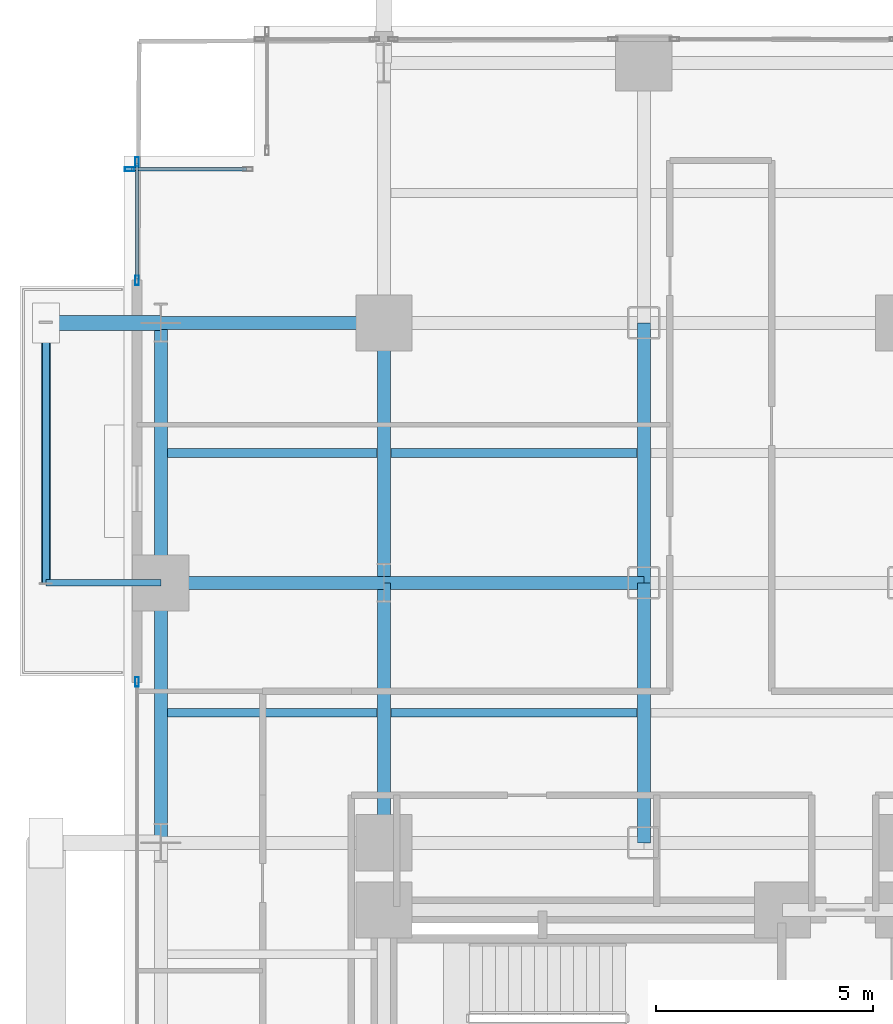
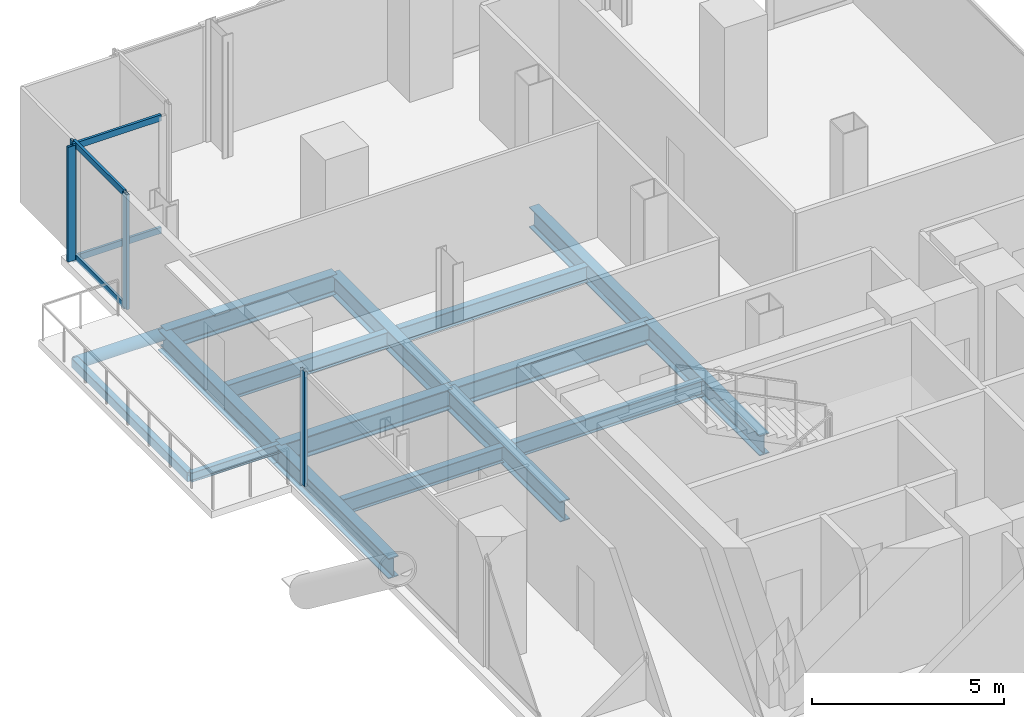
# One storey, part 13 of 27: 15 beams, 9 members, 3 elements without a shape of their own.
"""IFC4 building model written with IfcOpenShell, lengths in metres."""

from ifc_helpers import new_model, si_unit, direction, frame, origin, origin_2d, place, context, subcontext, project, spatial, hollow_rectangle, hollow_circle, i_section, extrude, material, layer, layer_set, material_profile, profile_set, type_object, element, aggregate, save


model = new_model("IFC4")

# Units and contexts
model_context = context("Model", 3, precision=1e-05, world=origin(), true_north=direction((0.0, 1.0)))
body_context = subcontext(model_context, "Body", "Model", "MODEL_VIEW")
ifc_project = project(units=[si_unit("LENGTHUNIT", "METRE"), si_unit("AREAUNIT", "SQUARE_METRE"), si_unit("VOLUMEUNIT", "CUBIC_METRE"), si_unit("PLANEANGLEUNIT", "RADIAN"), si_unit("MASSUNIT", "GRAM", prefix="KILO"), si_unit("THERMODYNAMICTEMPERATUREUNIT", "KELVIN"), si_unit("POWERUNIT", "WATT")], contexts=[model_context])

# Site, building, storey
site_placement = place(None, origin())
site = spatial("IfcSite", under=ifc_project, at=site_placement, CompositionType="ELEMENT")
building_placement = place(site_placement, origin())
building = spatial("IfcBuilding", under=site, at=building_placement, Name="Svarakhadi Broadcast Tower", CompositionType="ELEMENT")
storey_placement = place(building_placement, frame((0.0, 0.0, 40.199951171875)))
storey = spatial("IfcBuildingStorey", under=building, at=storey_placement, Name="L08", CompositionType="ELEMENT", Elevation=40.199951171875)

# Beams
ifc_material_1 = material(Name="Steel S355J2 (IS 2062 E350C)", Category="steel")
ifc_material_profile_1 = material_profile(ifc_material_1, i_section(OverallWidth=0.199951171875, OverallDepth=0.5, WebThickness=0.01025390625, FlangeThickness=0.01611328125, FilletRadius=0.02099609375, at=origin_2d()), Name="NPB 500x200x91")
ifc_profile_set_1 = profile_set([ifc_material_profile_1], Name="Steel S355J2 (IS 2062 E350C)")
beam_type_1 = type_object("IfcBeamType", Name="Beam_NPB500", PredefinedType="BEAM", material=ifc_profile_set_1)
for number, where, z_axis, x_axis, name in (
    (1, (1.010009765625, 32.14990234375, -0.5), (1.0, 0.0, 0.0), (0.0, 1.0, 0.0), "L08 Secondary Composite Beam SB005"),
    (2, (1.010009765625, 38.14990234375, -0.5), (1.0, 0.0, 0.0), (0.0, 1.0, 0.0), "L08 Secondary Composite Beam SB006"),
):
    element("IfcBeam", number, at=place(storey_placement, frame(where, z_axis=z_axis, x_axis=x_axis)), inside=storey, type_object=beam_type_1, Name=name, PredefinedType="BEAM", context=body_context, shape_type="SweptSolid", body=[
        extrude(i_section(OverallWidth=0.199951171875, OverallDepth=0.5, WebThickness=0.01025390625, FlangeThickness=0.01611328125, FilletRadius=0.02099609375, at=origin_2d()), origin(), (0.0, 0.0, 1.0), 4.830078125),
    ])
for number, where, z_axis, x_axis, name in (
    (3, (6.159912109375, 32.14990234375, -0.5), (1.0, 0.0, 0.0), (0.0, 1.0, 0.0), "L08 Secondary Composite Beam SB010"),
    (4, (6.159912109375, 38.14990234375, -0.5), (1.0, 0.0, 0.0), (0.0, 1.0, 0.0), "L08 Secondary Composite Beam SB011"),
):
    element("IfcBeam", number, at=place(storey_placement, frame(where, z_axis=z_axis, x_axis=x_axis)), inside=storey, type_object=beam_type_1, Name=name, PredefinedType="BEAM", context=body_context, shape_type="SweptSolid", body=[
        extrude(i_section(OverallWidth=0.199951171875, OverallDepth=0.5, WebThickness=0.01025390625, FlangeThickness=0.01611328125, FilletRadius=0.02099609375, at=origin_2d()), origin(), (0.0, 0.0, 1.0), 5.68017578125),
    ])

# Curtain wall, member
ifc_material_2 = material(Name="Anodised Bronze Aluminium AA 6063-T6", Category="aluminium")
ifc_layer = layer(ifc_material_2, 0.219970703125)
ifc_layer_set = layer_set([ifc_layer], Name="Anodised Bronze Aluminium AA 6063-T6")
curtain_wall_type = type_object("IfcCurtainWallType", Name="CW_Sys_02", PredefinedType="NOTDEFINED", material=ifc_layer_set)
curtain_wall_1_placement = place(storey_placement, origin())
curtain_wall_1 = element("IfcCurtainWall", 5, at=curtain_wall_1_placement, inside=storey, type_object=curtain_wall_type, Name="L08 West Curtain Wall 02 Bay 3", PredefinedType="NOTDEFINED")
ifc_material_profile_2 = material_profile(ifc_material_2, hollow_rectangle(XDim=0.0849609375, YDim=0.219970703125, WallThickness=0.006103515625, at=origin_2d()), Name="ALU MULLION 220x85x6")
ifc_profile_set_2 = profile_set([ifc_material_profile_2], Name="Anodised Bronze Aluminium AA 6063-T6")
member_type_1 = type_object("IfcMemberType", Name="CW_Sys_02_Mul", PredefinedType="MULLION", material=ifc_profile_set_2)
member_1_placement = place(storey_placement, frame((0.300048828125, 32.867431640625, 0.0), z_axis=(0.0, 0.0, 1.0), x_axis=(-1.0, 0.0, 0.0)))
member_1 = element("IfcMember", 6, at=member_1_placement, type_object=member_type_1, Name="CW-02 mullion 2", PredefinedType="MULLION", context=body_context, shape_type="SweptSolid", body=[
    extrude(hollow_rectangle(XDim=0.0849609375, YDim=0.219970703125, WallThickness=0.006103515625, at=origin_2d()), origin(), (0.0, 0.0, 1.0), 3.650146484375),
])
aggregate(curtain_wall_1, [member_1])

# Curtain wall, members
curtain_wall_2_placement = place(storey_placement, origin())
curtain_wall_2 = element("IfcCurtainWall", 7, at=curtain_wall_2_placement, inside=storey, type_object=curtain_wall_type, Name="L08 West Curtain Wall 03", PredefinedType="NOTDEFINED")
member_2_placement = place(storey_placement, frame((0.300048828125, 42.132568359375, 0.0), z_axis=(0.0, 0.0, 1.0), x_axis=(-1.0, 0.0, 0.0)))
member_2 = element("IfcMember", 8, at=member_2_placement, type_object=member_type_1, Name="CW-02 mullion 1", PredefinedType="MULLION", context=body_context, shape_type="SweptSolid", body=[
    extrude(hollow_rectangle(XDim=0.0849609375, YDim=0.219970703125, WallThickness=0.006103515625, at=origin_2d()), origin(), (0.0, 0.0, 1.0), 3.650146484375),
])
member_3_placement = place(storey_placement, frame((0.300048828125, 44.867431640625, 0.0), z_axis=(0.0, 0.0, 1.0), x_axis=(-1.0, 0.0, 0.0)))
member_3 = element("IfcMember", 9, at=member_3_placement, type_object=member_type_1, Name="CW-02 mullion 2", PredefinedType="MULLION", context=body_context, shape_type="SweptSolid", body=[
    extrude(hollow_rectangle(XDim=0.0849609375, YDim=0.219970703125, WallThickness=0.006103515625, at=origin_2d()), origin(), (0.0, 0.0, 1.0), 3.650146484375),
])

# Curtain wall, member
curtain_wall_3_placement = place(storey_placement, origin())
curtain_wall_3 = element("IfcCurtainWall", 10, at=curtain_wall_3_placement, inside=storey, type_object=curtain_wall_type, Name="L08 Unitised Facade Curtain Wall 04", PredefinedType="NOTDEFINED")
member_4_placement = place(storey_placement, frame((0.132568359375, 44.699951171875, 0.0), z_axis=(0.0, 0.0, 1.0), x_axis=(0.0, 1.0, 0.0)))
member_4 = element("IfcMember", 11, at=member_4_placement, type_object=member_type_1, Name="CW-02 mullion 1", PredefinedType="MULLION", context=body_context, shape_type="SweptSolid", body=[
    extrude(hollow_rectangle(XDim=0.0849609375, YDim=0.219970703125, WallThickness=0.006103515625, at=origin_2d()), origin(), (0.0, 0.0, 1.0), 3.650146484375),
])

# Member
ifc_material_profile_3 = material_profile(ifc_material_2, hollow_rectangle(XDim=0.074951171875, YDim=0.199951171875, WallThickness=0.0048828125, at=origin_2d()), Name="ALU TRANSOM 200x75x5")
ifc_profile_set_3 = profile_set([ifc_material_profile_3], Name="Anodised Bronze Aluminium AA 6063-T6")
member_type_2 = type_object("IfcMemberType", Name="CW_Sys_02_Trn", PredefinedType="USERDEFINED", material=ifc_profile_set_3)
member_5_placement = place(storey_placement, frame((0.300048828125, 42.175048828125, 0.03759765625), z_axis=(0.0, 1.0, 0.0), x_axis=(-1.0, 0.0, 0.0)))
member_5 = element("IfcMember", 12, at=member_5_placement, type_object=member_type_2, Name="CW-02 transom 1.1", ObjectType="TRANSOM", PredefinedType="USERDEFINED", context=body_context, shape_type="SweptSolid", body=[
    extrude(hollow_rectangle(XDim=0.074951171875, YDim=0.199951171875, WallThickness=0.0048828125, at=origin_2d()), origin(), (0.0, 0.0, 1.0), 2.64990234375),
])

member_6_placement = place(storey_placement, frame((0.300048828125, 42.175048828125, 3.612548828125), z_axis=(0.0, 1.0, 0.0), x_axis=(-1.0, 0.0, 0.0)))
member_6 = element("IfcMember", 13, at=member_6_placement, type_object=member_type_2, Name="CW-02 transom 1.2", ObjectType="TRANSOM", PredefinedType="USERDEFINED", context=body_context, shape_type="SweptSolid", body=[
    extrude(hollow_rectangle(XDim=0.074951171875, YDim=0.199951171875, WallThickness=0.0048828125, at=origin_2d()), origin(), (0.0, 0.0, 1.0), 2.64990234375),
])

aggregate(curtain_wall_2, [member_2, member_3, member_5, member_6])

member_7_placement = place(storey_placement, frame((0.175048828125, 44.699951171875, 0.03759765625), z_axis=(1.0, 0.0, 0.0), x_axis=(0.0, 1.0, 0.0)))
member_7 = element("IfcMember", 14, at=member_7_placement, type_object=member_type_2, Name="CW-02 transom 1.1", ObjectType="TRANSOM", PredefinedType="USERDEFINED", context=body_context, shape_type="SweptSolid", body=[
    extrude(hollow_rectangle(XDim=0.074951171875, YDim=0.199951171875, WallThickness=0.0048828125, at=origin_2d()), origin(), (0.0, 0.0, 1.0), 2.64990234375),
])

member_8_placement = place(storey_placement, frame((0.175048828125, 44.699951171875, 3.612548828125), z_axis=(1.0, 0.0, 0.0), x_axis=(0.0, 1.0, 0.0)))
member_8 = element("IfcMember", 15, at=member_8_placement, type_object=member_type_2, Name="CW-02 transom 1.2", ObjectType="TRANSOM", PredefinedType="USERDEFINED", context=body_context, shape_type="SweptSolid", body=[
    extrude(hollow_rectangle(XDim=0.074951171875, YDim=0.199951171875, WallThickness=0.0048828125, at=origin_2d()), origin(), (0.0, 0.0, 1.0), 2.64990234375),
])

aggregate(curtain_wall_3, [member_4, member_7, member_8])

ifc_material_3 = material(Name="Steel S460ML (IS 2062 E450BR)", Category="steel")
ifc_material_profile_4 = material_profile(ifc_material_3, hollow_circle(Radius=0.177734375, WallThickness=0.02001953125, at=origin_2d()), Name="CHS 355.6x20")
ifc_profile_set_4 = profile_set([ifc_material_profile_4], Name="Steel S460ML (IS 2062 E450BR)")
member_type_3 = type_object("IfcMemberType", Name="Exo_Radial_Strut_Z1", PredefinedType="STRUT", material=ifc_profile_set_4)
member_9_placement = place(storey_placement, frame((-1.800048828125, 41.14990234375, -0.427734375), z_axis=(1.0, 0.0, 0.0), x_axis=(0.0, 1.0, 0.0)))
element("IfcMember", 16, at=member_9_placement, inside=storey, type_object=member_type_3, Name="L08 Exoskeleton Radial Tie Strut W08", PredefinedType="STRUT", context=body_context, shape_type="SweptSolid", body=[
    extrude(hollow_circle(Radius=0.177734375, WallThickness=0.02001953125, at=origin_2d()), origin(), (0.0, 0.0, 1.0), 2.650146484375),
])

# Beams
ifc_material_profile_5 = material_profile(ifc_material_1, i_section(OverallWidth=0.300048828125, OverallDepth=0.64990234375, WebThickness=0.01611328125, FlangeThickness=0.031005859375, FilletRadius=0.027099609375, at=origin_2d()), Name="WPB 650x300x225")
ifc_profile_set_5 = profile_set([ifc_material_profile_5], Name="Steel S355J2 (IS 2062 E350C)")
beam_type_2 = type_object("IfcBeamType", Name="Girder_WPB650", PredefinedType="USERDEFINED", material=ifc_profile_set_5)
beam_1_placement = place(storey_placement, frame((0.85009765625, 35.14990234375, -0.574951171875), z_axis=(1.0, 0.0, 0.0), x_axis=(0.0, 1.0, 0.0)))
element("IfcBeam", 17, at=beam_1_placement, inside=storey, type_object=beam_type_2, Name="L08 Primary E-W Girder G037", ObjectType="GIRDER", PredefinedType="USERDEFINED", context=body_context, shape_type="SweptSolid", body=[
    extrude(i_section(OverallWidth=0.300048828125, OverallDepth=0.64990234375, WebThickness=0.01611328125, FlangeThickness=0.031005859375, FilletRadius=0.027099609375, at=origin_2d()), origin(), (0.0, 0.0, 1.0), 5.14990234375),
])
beam_2_placement = place(storey_placement, frame((6.0, 35.14990234375, -0.574951171875), z_axis=(1.0, 0.0, 0.0), x_axis=(0.0, 1.0, 0.0)))
element("IfcBeam", 18, at=beam_2_placement, inside=storey, type_object=beam_type_2, Name="L08 Primary E-W Girder G038", ObjectType="GIRDER", PredefinedType="USERDEFINED", context=body_context, shape_type="SweptSolid", body=[
    extrude(i_section(OverallWidth=0.300048828125, OverallDepth=0.64990234375, WebThickness=0.01611328125, FlangeThickness=0.031005859375, FilletRadius=0.027099609375, at=origin_2d()), origin(), (0.0, 0.0, 1.0), 6.0),
])
beam_3_placement = place(storey_placement, frame((0.85009765625, 41.14990234375, -0.574951171875), z_axis=(1.0, 0.0, 0.0), x_axis=(0.0, 1.0, 0.0)))
element("IfcBeam", 19, at=beam_3_placement, inside=storey, type_object=beam_type_2, Name="L08 Primary E-W Girder G040", ObjectType="GIRDER", PredefinedType="USERDEFINED", context=body_context, shape_type="SweptSolid", body=[
    extrude(i_section(OverallWidth=0.300048828125, OverallDepth=0.64990234375, WebThickness=0.01611328125, FlangeThickness=0.031005859375, FilletRadius=0.027099609375, at=origin_2d()), origin(), (0.0, 0.0, 1.0), 5.14990234375),
])
for number, where, z_axis, x_axis, name in (
    (20, (0.85009765625, 29.14990234375, -0.574951171875), (0.0, 1.0, 0.0), (-1.0, 0.0, 0.0), "L08 Primary N-S Girder G049"),
    (21, (0.85009765625, 35.14990234375, -0.574951171875), (0.0, 1.0, 0.0), (-1.0, 0.0, 0.0), "L08 Primary N-S Girder G050"),
    (22, (6.0, 29.14990234375, -0.574951171875), (0.0, 1.0, 0.0), (-1.0, 0.0, 0.0), "L08 Primary N-S Girder G055"),
    (23, (6.0, 35.14990234375, -0.574951171875), (0.0, 1.0, 0.0), (-1.0, 0.0, 0.0), "L08 Primary N-S Girder G056"),
    (24, (12.0, 29.14990234375, -0.574951171875), (0.0, 1.0, 0.0), (-1.0, 0.0, 0.0), "L08 Primary N-S Girder G061"),
    (25, (12.0, 35.14990234375, -0.574951171875), (0.0, 1.0, 0.0), (-1.0, 0.0, 0.0), "L08 Primary N-S Girder G062"),
):
    element("IfcBeam", number, at=place(storey_placement, frame(where, z_axis=z_axis, x_axis=x_axis)), inside=storey, type_object=beam_type_2, Name=name, ObjectType="GIRDER", PredefinedType="USERDEFINED", context=body_context, shape_type="SweptSolid", body=[
        extrude(i_section(OverallWidth=0.300048828125, OverallDepth=0.64990234375, WebThickness=0.01611328125, FlangeThickness=0.031005859375, FilletRadius=0.027099609375, at=origin_2d()), origin(), (0.0, 0.0, 1.0), 6.0),
    ])
ifc_material_profile_6 = material_profile(ifc_material_1, i_section(OverallWidth=0.14990234375, OverallDepth=0.300048828125, WebThickness=0.007080078125, FlangeThickness=0.0107421875, FilletRadius=0.014892578125, at=origin_2d()), Name="NPB 300x150x37")
ifc_profile_set_6 = profile_set([ifc_material_profile_6], Name="Steel S355J2 (IS 2062 E350C)")
beam_type_3 = type_object("IfcBeamType", Name="Spandrel_NPB300", PredefinedType="SPANDREL", material=ifc_profile_set_6)
beam_4_placement = place(storey_placement, frame((0.85009765625, 35.14990234375, -0.39990234375), z_axis=(-1.0, 0.0, 0.0), x_axis=(0.0, -1.0, 0.0)))
element("IfcBeam", 26, at=beam_4_placement, inside=storey, type_object=beam_type_3, Name="L08 Balcony Cantilever Bracket 2A", PredefinedType="SPANDREL", context=body_context, shape_type="SweptSolid", body=[
    extrude(i_section(OverallWidth=0.14990234375, OverallDepth=0.300048828125, WebThickness=0.007080078125, FlangeThickness=0.0107421875, FilletRadius=0.014892578125, at=origin_2d()), origin(), (0.0, 0.0, 1.0), 2.650146484375),
])
ifc_material_profile_7 = material_profile(ifc_material_3, hollow_rectangle(XDim=0.199951171875, YDim=0.300048828125, WallThickness=0.012451171875, InnerFilletRadius=0.012451171875, OuterFilletRadius=0.02490234375, at=origin_2d()), Name="RHS 300x200x12.5")
ifc_profile_set_7 = profile_set([ifc_material_profile_7], Name="Steel S460ML (IS 2062 E450BR)")
beam_type_4 = type_object("IfcBeamType", Name="Spandrel_RHS300", PredefinedType="SPANDREL", material=ifc_profile_set_7)
beam_5_placement = place(storey_placement, frame((-1.800048828125, 35.14990234375, -0.39990234375), z_axis=(0.0, 1.0, 0.0), x_axis=(-1.0, 0.0, 0.0)))
element("IfcBeam", 27, at=beam_5_placement, inside=storey, type_object=beam_type_4, Name="L08 Balcony Outer Spandrel 2F", PredefinedType="SPANDREL", context=body_context, shape_type="SweptSolid", body=[
    extrude(hollow_rectangle(XDim=0.199951171875, YDim=0.300048828125, WallThickness=0.012451171875, InnerFilletRadius=0.012451171875, OuterFilletRadius=0.02490234375, at=origin_2d()), origin(), (0.0, 0.0, 1.0), 6.0),
])

save(model, "model.ifc")
